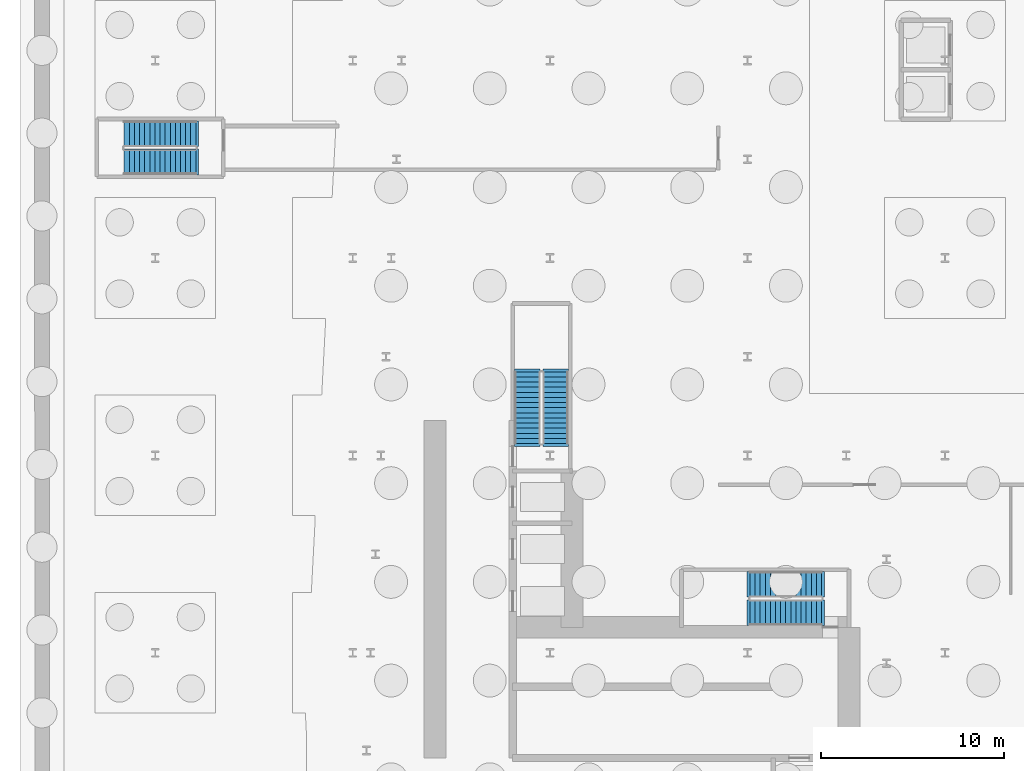
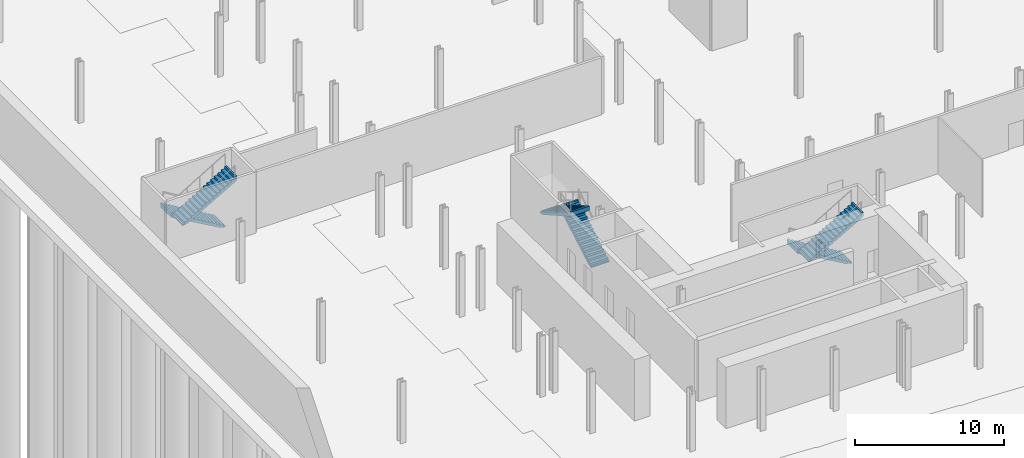
# One storey, part 19 of 23: 6 stair flights, 3 elements without a shape of their own.
"""IFC4 building model written with IfcOpenShell, lengths in metres."""

from ifc_helpers import new_model, si_unit, direction, frame, origin, place, context, subcontext, project, spatial, polyline, outline, extrude, material, layer, layer_set, type_object, element, aggregate, save


model = new_model("IFC4")

# Units and contexts
model_context = context("Model", 3, precision=1e-05, world=origin(), true_north=direction((0.0, 1.0)))
body_context = subcontext(model_context, "Body", "Model", "MODEL_VIEW")
ifc_project = project(units=[si_unit("LENGTHUNIT", "METRE"), si_unit("AREAUNIT", "SQUARE_METRE"), si_unit("VOLUMEUNIT", "CUBIC_METRE"), si_unit("PLANEANGLEUNIT", "RADIAN"), si_unit("MASSUNIT", "GRAM", prefix="KILO")], contexts=[model_context])

# Site, building, storey
site_placement = place(None, origin())
site = spatial("IfcSite", under=ifc_project, at=site_placement, CompositionType="ELEMENT")
building_placement = place(site_placement, origin())
building = spatial("IfcBuilding", under=site, at=building_placement, Name="Kheshtan School and Residences Tower", CompositionType="ELEMENT")
storey_placement = place(building_placement, frame((0.0, 0.0, -15.0)))
storey = spatial("IfcBuildingStorey", under=building, at=storey_placement, Name="B3", CompositionType="ELEMENT", Elevation=-15.0)

# Stair, stair flights
ifc_material = material(Name="Concrete C40/50", Category="concrete")
stair_type = type_object("IfcStairType", Name="Exit stair, half-turn", PredefinedType="HALF_TURN_STAIR", material=ifc_material)
stair_1_placement = place(storey_placement, origin())
stair_1 = element("IfcStair", 1, at=stair_1_placement, inside=storey, type_object=stair_type, Name="B3 Protected Exit Stair ST1", PredefinedType="HALF_TURN_STAIR")
ifc_layer = layer(ifc_material, 0.14990234375)
ifc_layer_set = layer_set([ifc_layer], Name="Stair flight 1400 Concrete C40/50")
stair_flight_type = type_object("IfcStairFlightType", Name="Stair flight 1400 Concrete C40/50", PredefinedType="STRAIGHT", material=ifc_layer_set)
stair_flight_1_placement = place(storey_placement, frame((51.64990234375, 38.550048828125, 0.0), z_axis=(0.0, 0.0, 1.0), x_axis=(-1.0, 0.0, 0.0)))
stair_flight_1 = element("IfcStairFlight", 2, at=stair_flight_1_placement, type_object=stair_flight_type, Name="ST1 flight 1", NumberOfRisers=15, NumberOfTreads=14, PredefinedType="STRAIGHT", RiserHeight=0.166666667, TreadLength=0.28, context=body_context, shape_type="SweptSolid", body=[
    extrude(outline(polyline([(-0.14990234375, -0.10009765625), (-0.14990234375, 0.0), (0.0, 0.0), (0.0, 0.166748046875), (0.280029296875, 0.166748046875), (0.280029296875, 0.333251953125), (0.56005859375, 0.333251953125), (0.56005859375, 0.5), (0.840087890625, 0.5), (0.840087890625, 0.666748046875), (1.1201171875, 0.666748046875), (1.1201171875, 0.833251953125), (1.39990234375, 0.833251953125), (1.39990234375, 1.0), (1.679931640625, 1.0), (1.679931640625, 1.166748046875), (1.9599609375, 1.166748046875), (1.9599609375, 1.333251953125), (2.239990234375, 1.333251953125), (2.239990234375, 1.5), (2.52001953125, 1.5), (2.52001953125, 1.666748046875), (2.800048828125, 1.666748046875), (2.800048828125, 1.833251953125), (3.080078125, 1.833251953125), (3.080078125, 2.0), (3.360107421875, 2.0), (3.360107421875, 2.166748046875), (3.639892578125, 2.166748046875), (3.639892578125, 2.333251953125), (3.919921875, 2.333251953125), (3.919921875, 2.5), (3.919921875, 2.52001953125), (4.06982421875, 2.52001953125), (4.06982421875, 2.158935546875), (0.29296875, 0.0), (-0.14990234375, -0.10009765625)])), frame((0.0, 0.699951171875, 0.0), z_axis=(0.0, -1.0, 0.0), x_axis=(1.0, 0.0, 0.0)), (0.0, 0.0, 1.0), 1.39990234375),
])
stair_flight_2_placement = place(storey_placement, frame((47.72998046875, 37.0, 2.5), z_axis=(0.0, 0.0, 1.0), x_axis=(1.0, 0.0, 0.0)))
stair_flight_2 = element("IfcStairFlight", 3, at=stair_flight_2_placement, type_object=stair_flight_type, Name="ST1 flight 2", NumberOfRisers=15, NumberOfTreads=14, PredefinedType="STRAIGHT", RiserHeight=0.166666667, TreadLength=0.28, context=body_context, shape_type="SweptSolid", body=[
    extrude(outline(polyline([(-0.14990234375, -0.10009765625), (-0.14990234375, 0.0), (0.0, 0.0), (0.0, 0.166748046875), (0.280029296875, 0.166748046875), (0.280029296875, 0.333251953125), (0.56005859375, 0.333251953125), (0.56005859375, 0.5), (0.840087890625, 0.5), (0.840087890625, 0.666748046875), (1.1201171875, 0.666748046875), (1.1201171875, 0.833251953125), (1.39990234375, 0.833251953125), (1.39990234375, 1.0), (1.679931640625, 1.0), (1.679931640625, 1.166748046875), (1.9599609375, 1.166748046875), (1.9599609375, 1.333251953125), (2.239990234375, 1.333251953125), (2.239990234375, 1.5), (2.52001953125, 1.5), (2.52001953125, 1.666748046875), (2.800048828125, 1.666748046875), (2.800048828125, 1.833251953125), (3.080078125, 1.833251953125), (3.080078125, 2.0), (3.360107421875, 2.0), (3.360107421875, 2.166748046875), (3.639892578125, 2.166748046875), (3.639892578125, 2.333251953125), (3.919921875, 2.333251953125), (3.919921875, 2.5), (3.919921875, 2.52001953125), (4.06982421875, 2.52001953125), (4.06982421875, 2.158935546875), (0.29296875, 0.0), (-0.14990234375, -0.10009765625)])), frame((0.0, 0.699951171875, 0.0), z_axis=(0.0, -1.0, 0.0), x_axis=(1.0, 0.0, 0.0)), (0.0, 0.0, 1.0), 1.39990234375),
])
aggregate(stair_1, [stair_flight_1, stair_flight_2])

stair_2_placement = place(storey_placement, origin())
stair_2 = element("IfcStair", 4, at=stair_2_placement, inside=storey, type_object=stair_type, Name="B3 Protected Exit Stair ST2", PredefinedType="HALF_TURN_STAIR")
stair_flight_3_placement = place(storey_placement, frame((37.10009765625, 46.25, 0.0), z_axis=(0.0, 0.0, 1.0), x_axis=(0.0, 1.0, 0.0)))
stair_flight_3 = element("IfcStairFlight", 5, at=stair_flight_3_placement, type_object=stair_flight_type, Name="ST2 flight 1", NumberOfRisers=15, NumberOfTreads=14, PredefinedType="STRAIGHT", RiserHeight=0.166666667, TreadLength=0.28, context=body_context, shape_type="SweptSolid", body=[
    extrude(outline(polyline([(-0.14990234375, -0.10009765625), (-0.14990234375, 0.0), (0.0, 0.0), (0.0, 0.166748046875), (0.280029296875, 0.166748046875), (0.280029296875, 0.333251953125), (0.56005859375, 0.333251953125), (0.56005859375, 0.5), (0.840087890625, 0.5), (0.840087890625, 0.666748046875), (1.1201171875, 0.666748046875), (1.1201171875, 0.833251953125), (1.39990234375, 0.833251953125), (1.39990234375, 1.0), (1.679931640625, 1.0), (1.679931640625, 1.166748046875), (1.9599609375, 1.166748046875), (1.9599609375, 1.333251953125), (2.239990234375, 1.333251953125), (2.239990234375, 1.5), (2.52001953125, 1.5), (2.52001953125, 1.666748046875), (2.800048828125, 1.666748046875), (2.800048828125, 1.833251953125), (3.080078125, 1.833251953125), (3.080078125, 2.0), (3.360107421875, 2.0), (3.360107421875, 2.166748046875), (3.639892578125, 2.166748046875), (3.639892578125, 2.333251953125), (3.919921875, 2.333251953125), (3.919921875, 2.5), (3.919921875, 2.52001953125), (4.06982421875, 2.52001953125), (4.06982421875, 2.158935546875), (0.29296875, 0.0), (-0.14990234375, -0.10009765625)])), frame((0.0, 0.699951171875, 0.0), z_axis=(0.0, -1.0, 0.0), x_axis=(1.0, 0.0, 0.0)), (0.0, 0.0, 1.0), 1.39990234375),
])
stair_flight_4_placement = place(storey_placement, frame((35.550048828125, 50.169921875, 2.5), z_axis=(0.0, 0.0, 1.0), x_axis=(0.0, -1.0, 0.0)))
stair_flight_4 = element("IfcStairFlight", 6, at=stair_flight_4_placement, type_object=stair_flight_type, Name="ST2 flight 2", NumberOfRisers=15, NumberOfTreads=14, PredefinedType="STRAIGHT", RiserHeight=0.166666667, TreadLength=0.28, context=body_context, shape_type="SweptSolid", body=[
    extrude(outline(polyline([(-0.14990234375, -0.10009765625), (-0.14990234375, 0.0), (0.0, 0.0), (0.0, 0.166748046875), (0.280029296875, 0.166748046875), (0.280029296875, 0.333251953125), (0.56005859375, 0.333251953125), (0.56005859375, 0.5), (0.840087890625, 0.5), (0.840087890625, 0.666748046875), (1.1201171875, 0.666748046875), (1.1201171875, 0.833251953125), (1.39990234375, 0.833251953125), (1.39990234375, 1.0), (1.679931640625, 1.0), (1.679931640625, 1.166748046875), (1.9599609375, 1.166748046875), (1.9599609375, 1.333251953125), (2.239990234375, 1.333251953125), (2.239990234375, 1.5), (2.52001953125, 1.5), (2.52001953125, 1.666748046875), (2.800048828125, 1.666748046875), (2.800048828125, 1.833251953125), (3.080078125, 1.833251953125), (3.080078125, 2.0), (3.360107421875, 2.0), (3.360107421875, 2.166748046875), (3.639892578125, 2.166748046875), (3.639892578125, 2.333251953125), (3.919921875, 2.333251953125), (3.919921875, 2.5), (3.919921875, 2.52001953125), (4.06982421875, 2.52001953125), (4.06982421875, 2.158935546875), (0.29296875, 0.0), (-0.14990234375, -0.10009765625)])), frame((0.0, 0.699951171875, 0.0), z_axis=(0.0, -1.0, 0.0), x_axis=(1.0, 0.0, 0.0)), (0.0, 0.0, 1.0), 1.39990234375),
])
aggregate(stair_2, [stair_flight_3, stair_flight_4])

stair_3_placement = place(storey_placement, origin())
stair_3 = element("IfcStair", 7, at=stair_3_placement, inside=storey, type_object=stair_type, Name="B3 Station Stair west", PredefinedType="HALF_TURN_STAIR")
stair_flight_5_placement = place(storey_placement, frame((17.419921875, 63.199951171875, 0.0), z_axis=(0.0, 0.0, 1.0), x_axis=(-1.0, 0.0, 0.0)))
stair_flight_5 = element("IfcStairFlight", 8, at=stair_flight_5_placement, type_object=stair_flight_type, Name="SS-west flight 1", NumberOfRisers=15, NumberOfTreads=14, PredefinedType="STRAIGHT", RiserHeight=0.166666667, TreadLength=0.28, context=body_context, shape_type="SweptSolid", body=[
    extrude(outline(polyline([(-0.14990234375, -0.10009765625), (-0.14990234375, 0.0), (0.0, 0.0), (0.0, 0.166748046875), (0.280029296875, 0.166748046875), (0.280029296875, 0.333251953125), (0.56005859375, 0.333251953125), (0.56005859375, 0.5), (0.840087890625, 0.5), (0.840087890625, 0.666748046875), (1.1201171875, 0.666748046875), (1.1201171875, 0.833251953125), (1.39990234375, 0.833251953125), (1.39990234375, 1.0), (1.679931640625, 1.0), (1.679931640625, 1.166748046875), (1.9599609375, 1.166748046875), (1.9599609375, 1.333251953125), (2.239990234375, 1.333251953125), (2.239990234375, 1.5), (2.52001953125, 1.5), (2.52001953125, 1.666748046875), (2.800048828125, 1.666748046875), (2.800048828125, 1.833251953125), (3.080078125, 1.833251953125), (3.080078125, 2.0), (3.360107421875, 2.0), (3.360107421875, 2.166748046875), (3.639892578125, 2.166748046875), (3.639892578125, 2.333251953125), (3.919921875, 2.333251953125), (3.919921875, 2.5), (3.919921875, 2.52001953125), (4.06982421875, 2.52001953125), (4.06982421875, 2.158935546875), (0.29296875, 0.0), (-0.14990234375, -0.10009765625)])), frame((0.0, 0.699951171875, 0.0), z_axis=(0.0, -1.0, 0.0), x_axis=(1.0, 0.0, 0.0)), (0.0, 0.0, 1.0), 1.39990234375),
])
stair_flight_6_placement = place(storey_placement, frame((13.5, 61.64990234375, 2.5), z_axis=(0.0, 0.0, 1.0), x_axis=(1.0, 0.0, 0.0)))
stair_flight_6 = element("IfcStairFlight", 9, at=stair_flight_6_placement, type_object=stair_flight_type, Name="SS-west flight 2", NumberOfRisers=15, NumberOfTreads=14, PredefinedType="STRAIGHT", RiserHeight=0.166666667, TreadLength=0.28, context=body_context, shape_type="SweptSolid", body=[
    extrude(outline(polyline([(-0.14990234375, -0.10009765625), (-0.14990234375, 0.0), (0.0, 0.0), (0.0, 0.166748046875), (0.280029296875, 0.166748046875), (0.280029296875, 0.333251953125), (0.56005859375, 0.333251953125), (0.56005859375, 0.5), (0.840087890625, 0.5), (0.840087890625, 0.666748046875), (1.1201171875, 0.666748046875), (1.1201171875, 0.833251953125), (1.39990234375, 0.833251953125), (1.39990234375, 1.0), (1.679931640625, 1.0), (1.679931640625, 1.166748046875), (1.9599609375, 1.166748046875), (1.9599609375, 1.333251953125), (2.239990234375, 1.333251953125), (2.239990234375, 1.5), (2.52001953125, 1.5), (2.52001953125, 1.666748046875), (2.800048828125, 1.666748046875), (2.800048828125, 1.833251953125), (3.080078125, 1.833251953125), (3.080078125, 2.0), (3.360107421875, 2.0), (3.360107421875, 2.166748046875), (3.639892578125, 2.166748046875), (3.639892578125, 2.333251953125), (3.919921875, 2.333251953125), (3.919921875, 2.5), (3.919921875, 2.52001953125), (4.06982421875, 2.52001953125), (4.06982421875, 2.158935546875), (0.29296875, 0.0), (-0.14990234375, -0.10009765625)])), frame((0.0, 0.699951171875, 0.0), z_axis=(0.0, -1.0, 0.0), x_axis=(1.0, 0.0, 0.0)), (0.0, 0.0, 1.0), 1.39990234375),
])
aggregate(stair_3, [stair_flight_5, stair_flight_6])

save(model, "model.ifc")
